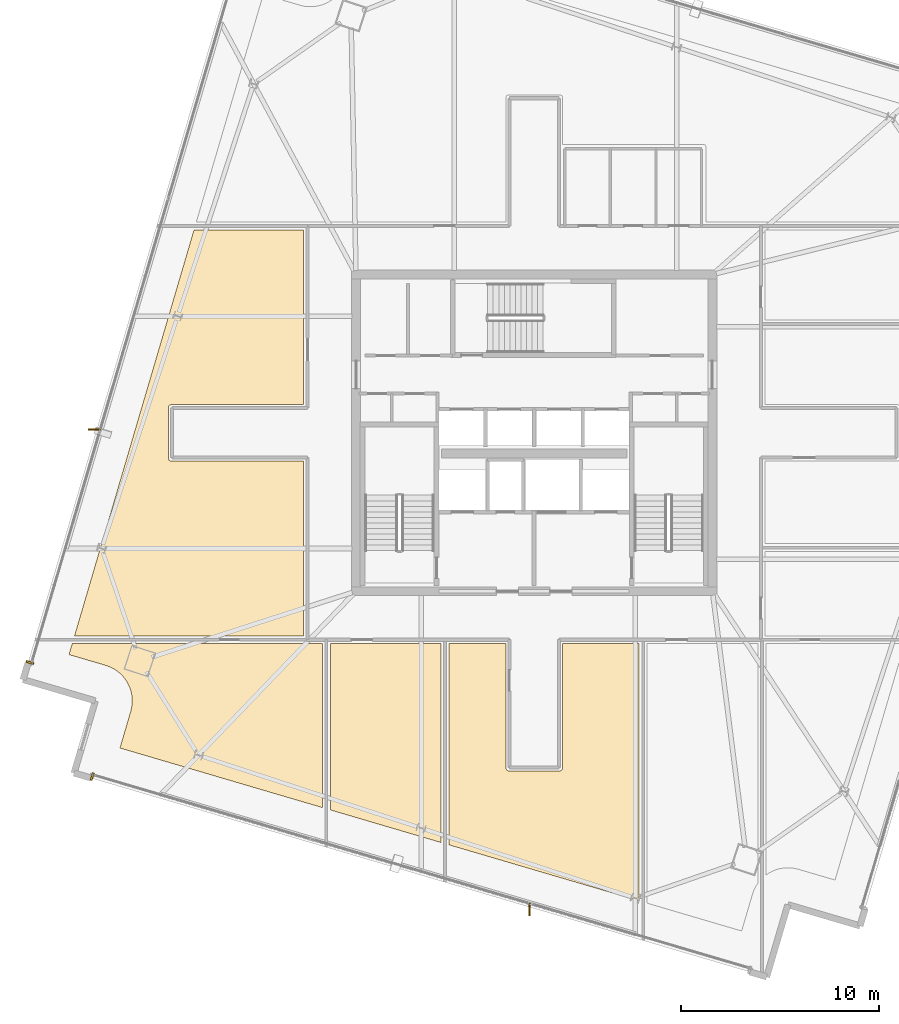
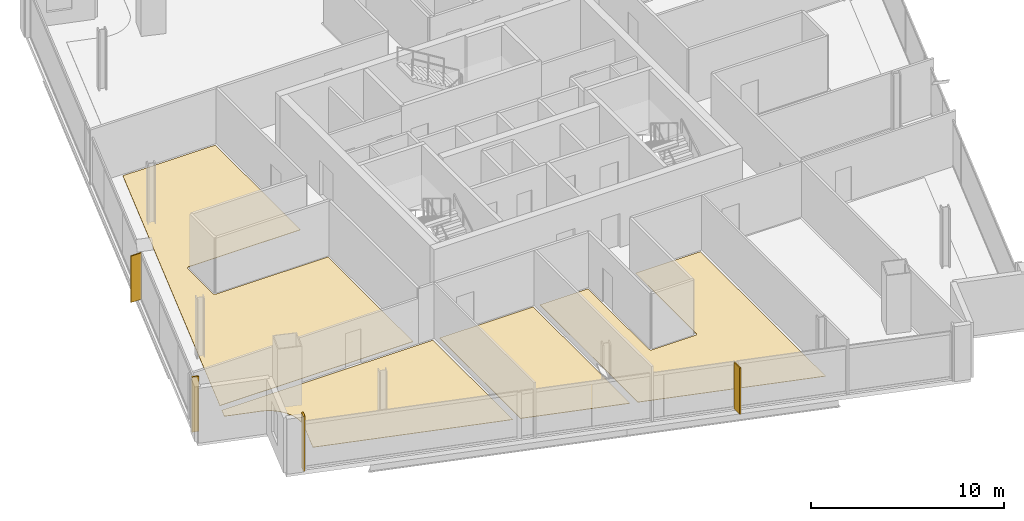
# One storey, part 23 of 26: 6 coverings, 2 shading devices.
"""IFC4 building model written with IfcOpenShell, lengths in metres."""

from ifc_helpers import new_model, si_unit, direction, frame, origin, origin_2d, place, context, subcontext, project, spatial, polyline, rectangle, outline, extrude, source, transform, mapped, material, layer, layer_set, type_object, element, save


model = new_model("IFC4")

# Units and contexts
model_context = context("Model", 3, precision=1e-05, world=origin(), true_north=direction((0.0, 1.0)))
body_context = subcontext(model_context, "Body", "Model", "MODEL_VIEW")
ifc_project = project(units=[si_unit("LENGTHUNIT", "METRE"), si_unit("AREAUNIT", "SQUARE_METRE"), si_unit("VOLUMEUNIT", "CUBIC_METRE"), si_unit("PLANEANGLEUNIT", "RADIAN"), si_unit("MASSUNIT", "GRAM", prefix="KILO")], contexts=[model_context])

# Site, building, storey
site_placement = place(None, origin())
site = spatial("IfcSite", under=ifc_project, at=site_placement, CompositionType="ELEMENT")
building_placement = place(site_placement, origin())
building = spatial("IfcBuilding", under=site, at=building_placement, Name="Haldenkirk Collegiate Tower", CompositionType="ELEMENT")
storey_placement = place(building_placement, frame((0.0, 0.0, 274.949951171875)))
storey = spatial("IfcBuildingStorey", under=building, at=storey_placement, Name="L69", CompositionType="ELEMENT", Elevation=274.949951171875)

# Coverings
ifc_material_1 = material(Name="Polished collegiate terrazzo", Category="concrete")
ifc_layer_1 = layer(ifc_material_1, 0.02490234375)
ifc_layer_set_1 = layer_set([ifc_layer_1], Name="Polished collegiate terrazzo")
covering_type_1 = type_object("IfcCoveringType", Name="COV-FLOOR-TERRAZZO", PredefinedType="FLOORING", material=ifc_layer_set_1)
covering_1_placement = place(storey_placement, origin())
element("IfcCovering", 1, at=covering_1_placement, inside=storey, type_object=covering_type_1, Name="L69 academic room finish 02", PredefinedType="FLOORING", context=body_context, shape_type="SweptSolid", body=[
    extrude(outline(polyline([(25.699951171875, 6.953125), (25.699951171875, 15.35009765625), (31.300048828125, 15.35009765625), (31.300048828125, 5.304931640625), (25.699951171875, 6.953125)])), origin(), (0.0, 0.0, 1.0), 0.025146484375),
])
ifc_material_2 = material(Name="Engineered collegiate oak acoustic flooring", Category="wood")
ifc_layer_2 = layer(ifc_material_2, 0.02197265625)
ifc_layer_set_2 = layer_set([ifc_layer_2], Name="Engineered collegiate oak acoustic flooring")
covering_type_2 = type_object("IfcCoveringType", Name="COV-FLOOR-TIMBER", PredefinedType="FLOORING", material=ifc_layer_set_2)
covering_2_placement = place(storey_placement, origin())
element("IfcCovering", 2, at=covering_2_placement, inside=storey, type_object=covering_type_2, Name="L69 academic room finish 01", PredefinedType="FLOORING", context=body_context, shape_type="SweptSolid", body=[
    extrude(outline(polyline([(15.073974609375, 10.08056640625), (15.618896484375, 11.93212890625), (15.620361328125, 11.937744140625), (15.66064453125, 12.104736328125), (15.662841796875, 12.1162109375), (15.6865234375, 12.286376953125), (15.687744140625, 12.298095703125), (15.694580078125, 12.4697265625), (15.694580078125, 12.4814453125), (15.684814453125, 12.65283203125), (15.68359375, 12.664794921875), (15.656982421875, 12.834228515625), (15.654541015625, 12.845703125), (15.611572265625, 13.01220703125), (15.60791015625, 13.0234375), (15.548583984375, 13.1845703125), (15.544189453125, 13.1953125), (15.469482421875, 13.35009765625), (15.4638671875, 13.3603515625), (15.374267578125, 13.5068359375), (15.36767578125, 13.5166015625), (15.26416015625, 13.65380859375), (15.256591796875, 13.662841796875), (15.14013671875, 13.7890625), (15.1318359375, 13.79736328125), (15.003662109375, 13.91162109375), (14.994384765625, 13.9189453125), (14.855712890625, 14.02001953125), (14.845947265625, 14.026611328125), (14.69775390625, 14.11376953125), (14.6875, 14.119140625), (14.53173828125, 14.19140625), (14.520751953125, 14.19580078125), (14.3583984375, 14.252197265625), (14.352783203125, 14.25390625), (12.50146484375, 14.798828125), (12.66357421875, 15.35009765625), (25.300048828125, 15.35009765625), (25.300048828125, 7.07080078125), (15.073974609375, 10.08056640625)])), origin(), (0.0, 0.0, 1.0), 0.02197265625),
])
covering_3_placement = place(storey_placement, origin())
element("IfcCovering", 3, at=covering_3_placement, inside=storey, type_object=covering_type_2, Name="L69 academic room finish 03", PredefinedType="FLOORING", context=body_context, shape_type="SweptSolid", body=[
    extrude(outline(polyline([(31.699951171875, 5.187255859375), (31.699951171875, 15.35009765625), (34.580078125, 15.35009765625), (34.580078125, 9.050048828125), (34.58056640625, 9.0380859375), (34.582275390625, 9.026611328125), (34.585205078125, 9.01513671875), (34.589111328125, 9.004150390625), (34.59423828125, 8.993408203125), (34.60009765625, 8.9833984375), (34.607177734375, 8.973876953125), (34.614990234375, 8.965087890625), (34.623779296875, 8.957275390625), (34.63330078125, 8.9501953125), (34.643310546875, 8.944091796875), (34.654052734375, 8.939208984375), (34.665283203125, 8.935302734375), (34.676513671875, 8.932373046875), (34.688232421875, 8.9306640625), (34.699951171875, 8.929931640625), (37.300048828125, 8.929931640625), (37.311767578125, 8.9306640625), (37.323486328125, 8.932373046875), (37.334716796875, 8.935302734375), (37.345947265625, 8.939208984375), (37.356689453125, 8.944091796875), (37.36669921875, 8.9501953125), (37.376220703125, 8.957275390625), (37.385009765625, 8.965087890625), (37.392822265625, 8.973876953125), (37.39990234375, 8.9833984375), (37.40576171875, 8.993408203125), (37.410888671875, 9.004150390625), (37.414794921875, 9.01513671875), (37.417724609375, 9.026611328125), (37.41943359375, 9.0380859375), (37.419921875, 9.050048828125), (37.419921875, 15.35009765625), (41.300048828125, 15.35009765625), (41.300048828125, 2.36181640625), (31.699951171875, 5.187255859375)])), origin(), (0.0, 0.0, 1.0), 0.02197265625),
])
covering_4_placement = place(storey_placement, origin())
element("IfcCovering", 4, at=covering_4_placement, inside=storey, type_object=covering_type_2, Name="L69 academic room finish 07", PredefinedType="FLOORING", context=body_context, shape_type="SweptSolid", body=[
    extrude(outline(polyline([(17.64990234375, 27.419921875), (17.63818359375, 27.41943359375), (17.626708984375, 27.417724609375), (17.615234375, 27.414794921875), (17.60400390625, 27.410888671875), (17.593505859375, 27.40576171875), (17.583251953125, 27.39990234375), (17.573974609375, 27.392822265625), (17.565185546875, 27.385009765625), (17.55712890625, 27.376220703125), (17.55029296875, 27.36669921875), (17.544189453125, 27.356689453125), (17.5390625, 27.345947265625), (17.53515625, 27.334716796875), (17.5322265625, 27.323486328125), (17.530517578125, 27.311767578125), (17.530029296875, 27.300048828125), (17.530029296875, 24.699951171875), (17.530517578125, 24.688232421875), (17.5322265625, 24.676513671875), (17.53515625, 24.665283203125), (17.5390625, 24.654052734375), (17.544189453125, 24.643310546875), (17.55029296875, 24.63330078125), (17.55712890625, 24.623779296875), (17.565185546875, 24.614990234375), (17.573974609375, 24.607177734375), (17.583251953125, 24.60009765625), (17.593505859375, 24.59423828125), (17.60400390625, 24.589111328125), (17.615234375, 24.585205078125), (17.626708984375, 24.582275390625), (17.63818359375, 24.58056640625), (17.64990234375, 24.580078125), (24.35009765625, 24.580078125), (24.35009765625, 15.75), (12.78125, 15.75), (18.81494140625, 36.25), (24.35009765625, 36.25), (24.35009765625, 27.419921875), (17.64990234375, 27.419921875)])), origin(), (0.0, 0.0, 1.0), 0.02197265625),
])
ifc_material_3 = material(Name="Anodised architectural bronze aluminium", Category="aluminium")
ifc_layer_3 = layer(ifc_material_3, 0.06005859375)
ifc_layer_set_3 = layer_set([ifc_layer_3], Name="Anodised architectural bronze aluminium")
covering_type_3 = type_object("IfcCoveringType", Name="COV-CLAD-BRONZE-60", PredefinedType="CLADDING", material=ifc_layer_set_3)
shared_shape_1 = source(origin(), body_context, "Body", "SweptSolid", [
    extrude(rectangle(XDim=0.10009765625, YDim=0.3798828125, at=origin_2d()), origin(), (0.0, 0.0, 1.0), 3.47998046875),
])
for number, where, z_axis, x_axis, name in (
    (5, (10.5283203125, 14.39990234375, 0.0), (0.0, 0.0, 1.0), (0.282341456843, 0.95931397454, 0.0), "L69 recessed curtain-wall bronze jamb closure NJL"),
    (6, (13.669677734375, 8.638427734375, 0.0), (0.0, 0.0, 1.0), (-0.95931397454, 0.282341456843, 0.0), "L69 recessed curtain-wall bronze jamb closure WJR"),
):
    element("IfcCovering", number, at=place(storey_placement, frame(where, z_axis=z_axis, x_axis=x_axis)), inside=storey, type_object=covering_type_3, Name=name, PredefinedType="CLADDING", context=body_context, shape_type="MappedRepresentation", body=[
        mapped(shared_shape_1, transform((0.0, 0.0, 0.0), x_axis=(1.0, 0.0, 0.0), y_axis=(0.0, 1.0, 0.0), z_axis=(0.0, 0.0, 1.0), scale=1.0)),
    ])

# Shading devices
ifc_layer_4 = layer(ifc_material_3, 0.06494140625)
ifc_layer_set_4 = layer_set([ifc_layer_4], Name="Anodised architectural bronze aluminium")
shading_device_type = type_object("IfcShadingDeviceType", Name="SHD-FIN-BRONZE-620", PredefinedType="USERDEFINED", material=ifc_layer_set_4)
shared_shape_2 = source(origin(), body_context, "Body", "SweptSolid", [
    extrude(rectangle(XDim=0.6201171875, YDim=0.06494140625, at=origin_2d()), origin(), (0.0, 0.0, 1.0), 2.93798828125),
])
for number, where, z_axis, x_axis, name in (
    (7, (13.77734375, 26.16455078125, 0.0), (0.0, 0.0, 1.0), (-0.999975630705, 0.006981260298, 0.0), "L69 folded bronze solar fin 1"),
    (8, (35.759033203125, 1.923583984375, 0.0), (0.0, 0.0, 1.0), (-0.006981260298, -0.999975630705, 0.0), "L69 folded bronze solar fin 1"),
):
    element("IfcShadingDevice", number, at=place(storey_placement, frame(where, z_axis=z_axis, x_axis=x_axis)), inside=storey, type_object=shading_device_type, Name=name, ObjectType="FIN", PredefinedType="USERDEFINED", context=body_context, shape_type="MappedRepresentation", body=[
        mapped(shared_shape_2, transform((0.0, 0.0, 0.0), x_axis=(1.0, 0.0, 0.0), y_axis=(0.0, 1.0, 0.0), z_axis=(0.0, 0.0, 1.0), scale=1.0)),
    ])

save(model, "model.ifc")
